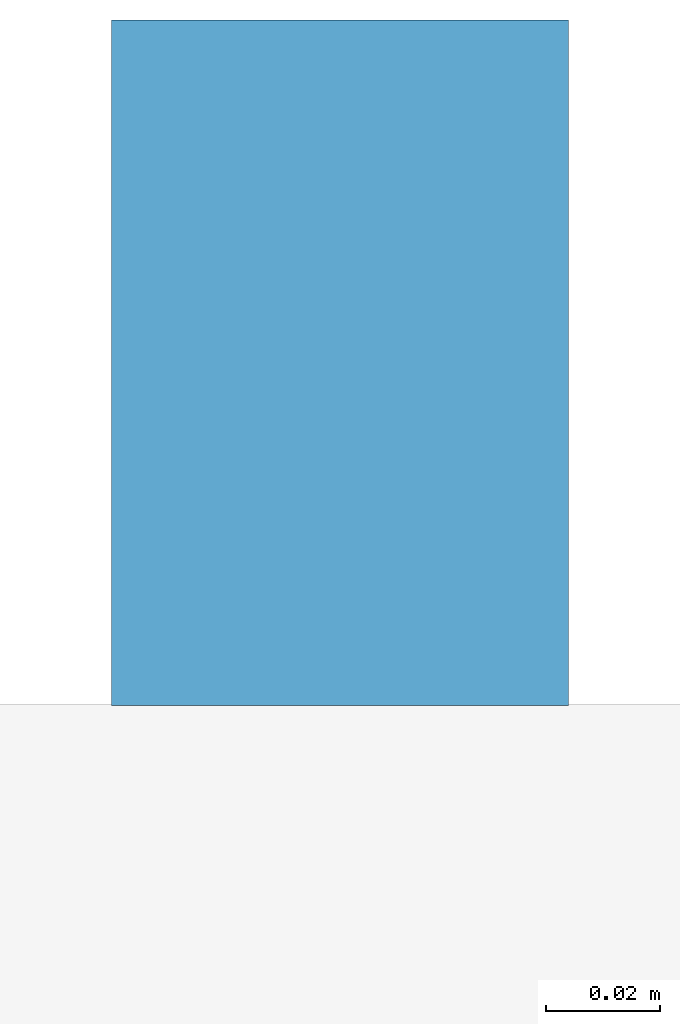
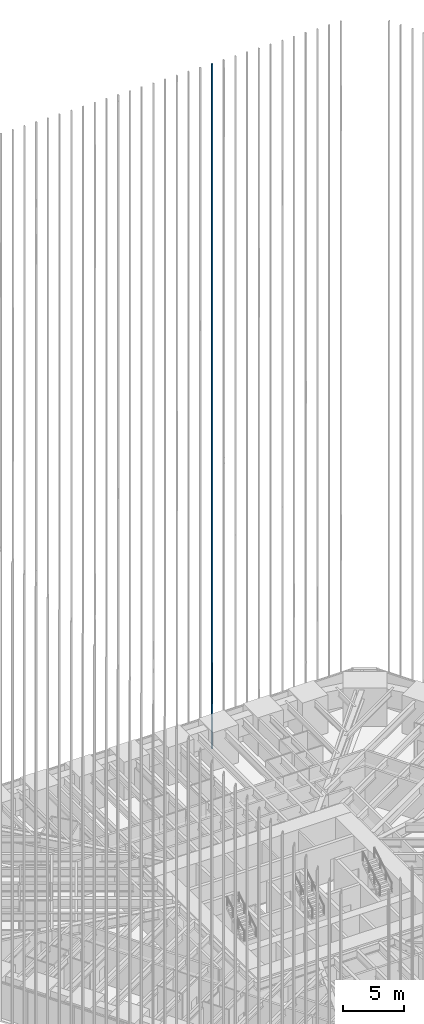
# One storey, part 221 of 256: 1 member, 1 element without a shape of its own.
"""IFC4 building model written with IfcOpenShell, lengths in metres."""

from ifc_helpers import new_model, si_unit, direction, frame, origin, origin_2d, place, context, subcontext, project, spatial, rectangle, extrude, material, material_profile, profile_set, type_object, element, aggregate, save


model = new_model("IFC4")

# Units and contexts
model_context = context("Model", 3, precision=1e-05, world=origin(), true_north=direction((0.0, 1.0)))
body_context = subcontext(model_context, "Body", "Model", "MODEL_VIEW")
ifc_project = project(units=[si_unit("LENGTHUNIT", "METRE"), si_unit("AREAUNIT", "SQUARE_METRE"), si_unit("VOLUMEUNIT", "CUBIC_METRE"), si_unit("PLANEANGLEUNIT", "RADIAN"), si_unit("MASSUNIT", "GRAM", prefix="KILO")], contexts=[model_context])

# Site, building, storey
site_placement = place(None, origin())
site = spatial("IfcSite", under=ifc_project, at=site_placement, CompositionType="ELEMENT")
building_placement = place(site_placement, origin())
building = spatial("IfcBuilding", under=site, at=building_placement, Name="Sandreach Pilgrim Tower", CompositionType="ELEMENT")
storey_placement = place(building_placement, frame((0.0, 0.0, 23.0)))
storey = spatial("IfcBuildingStorey", under=building, at=storey_placement, Name="L04", CompositionType="ELEMENT", Elevation=23.0)

# Curtain wall, member
ifc_material_1 = material(Name="Aluminium framed curtain wall", Category="aluminium")
curtain_wall_type = type_object("IfcCurtainWallType", Name="Hostel tower curtain wall", PredefinedType="NOTDEFINED", material=ifc_material_1)
curtain_wall_placement = place(storey_placement, origin())
curtain_wall = element("IfcCurtainWall", 1, at=curtain_wall_placement, inside=storey, type_object=curtain_wall_type, Name="CW-1 L04 N", PredefinedType="NOTDEFINED")
ifc_material_2 = material(Name="Extruded terracotta on aluminium core", Category="masonry")
ifc_material_profile = material_profile(ifc_material_2, rectangle(XDim=0.080078125, YDim=0.1201171875, at=origin_2d()), Name="TBN 80X120")
ifc_profile_set = profile_set([ifc_material_profile], Name="Extruded terracotta on aluminium core")
member_type = type_object("IfcMemberType", Name="Terracotta baguette north", PredefinedType="USERDEFINED", material=ifc_profile_set)
member_placement = place(storey_placement, frame((6.626708984375, 24.30859375, 0.0), z_axis=(0.0, 0.0, 1.0), x_axis=(1.0, 0.0, 0.0)))
member = element("IfcMember", 2, at=member_placement, type_object=member_type, Name="Baguette Z1 N24", ObjectType="BAGUETTE", PredefinedType="USERDEFINED", context=body_context, shape_type="SweptSolid", body=[
    extrude(rectangle(XDim=0.080078125, YDim=0.1201171875, at=origin_2d()), origin(), (0.0, 0.0, 1.0), 68.239990234375),
])
aggregate(curtain_wall, [member])

save(model, "model.ifc")
